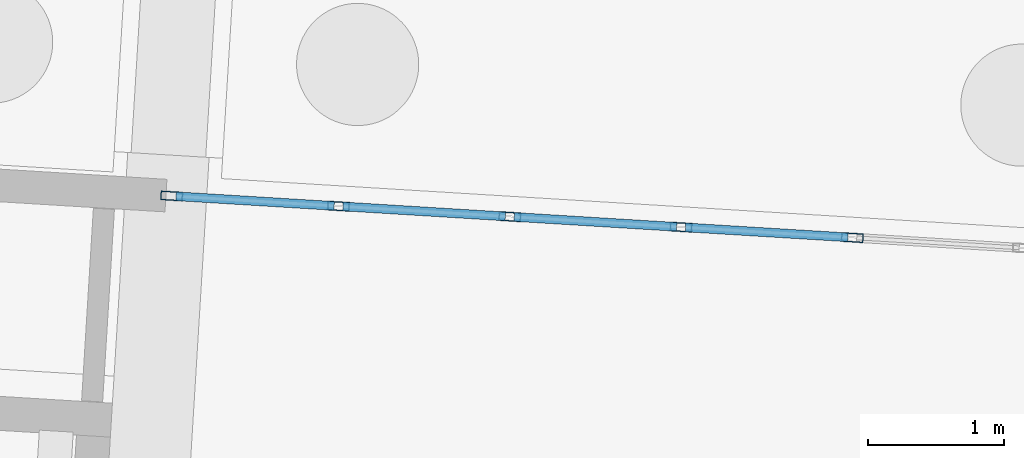
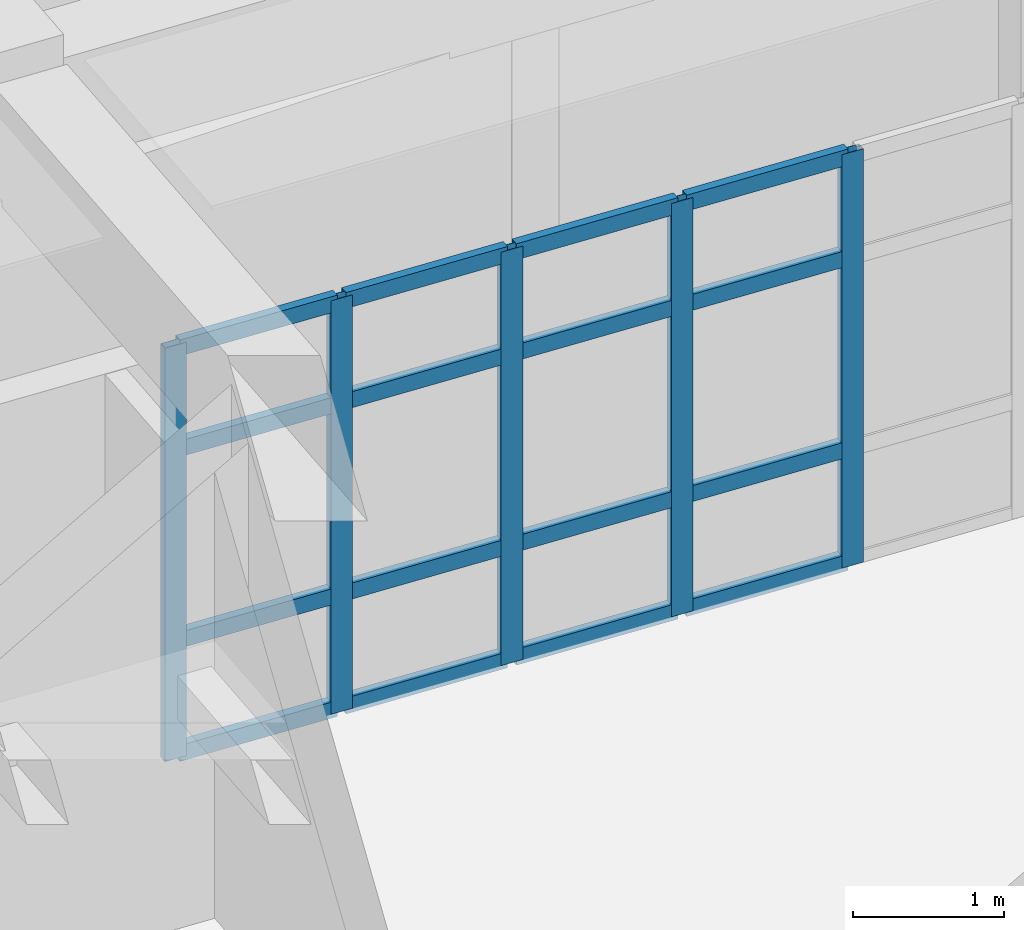
# One storey, part 51 of 154: 21 members, 1 element without a shape of its own.
"""IFC4 building model written with IfcOpenShell, lengths in metres."""

from ifc_helpers import new_model, si_unit, direction, frame, origin, origin_2d, place, context, subcontext, project, spatial, hollow_rectangle, extrude, material, material_profile, profile_set, type_object, element, aggregate, save


model = new_model("IFC4")

# Units and contexts
model_context = context("Model", 3, precision=1e-05, world=origin(), true_north=direction((0.0, 1.0)))
body_context = subcontext(model_context, "Body", "Model", "MODEL_VIEW")
ifc_project = project(units=[si_unit("LENGTHUNIT", "METRE"), si_unit("AREAUNIT", "SQUARE_METRE"), si_unit("VOLUMEUNIT", "CUBIC_METRE"), si_unit("PLANEANGLEUNIT", "RADIAN"), si_unit("MASSUNIT", "GRAM", prefix="KILO")], contexts=[model_context])

# Site, building, storey
site_placement = place(None, origin())
site = spatial("IfcSite", under=ifc_project, at=site_placement, CompositionType="ELEMENT")
building_placement = place(site_placement, origin())
building = spatial("IfcBuilding", under=site, at=building_placement, Name="Kestramere Prow Commons", CompositionType="ELEMENT")
storey_placement = place(building_placement, origin())
storey = spatial("IfcBuildingStorey", under=building, at=storey_placement, Name="L00", CompositionType="ELEMENT", Elevation=0.0)

# Curtain wall, members
ifc_material_1 = material(Name="Anodised Aluminium and Low-E Glass", Category="aluminium")
curtain_wall_type = type_object("IfcCurtainWallType", Name="CW-07 Glazed Curtain Wall 7580x3350", PredefinedType="USERDEFINED", material=ifc_material_1)
curtain_wall_placement = place(storey_placement, origin())
curtain_wall = element("IfcCurtainWall", 1, at=curtain_wall_placement, inside=storey, type_object=curtain_wall_type, Name="Block C L00 North Courtyard Storefront 4", ObjectType="GLAZED CURTAIN WALL", PredefinedType="USERDEFINED")
ifc_material_2 = material(Name="Anodised Aluminium 6063-T6", Category="aluminium")
ifc_material_profile_1 = material_profile(ifc_material_2, hollow_rectangle(XDim=0.06494140625, YDim=0.159912109375, WallThickness=0.00390625, at=origin_2d()), Name="ALU-MUL 65x160")
ifc_profile_set_1 = profile_set([ifc_material_profile_1], Name="Anodised Aluminium 6063-T6")
member_type_1 = type_object("IfcMemberType", Name="CW-MUL-65x160", PredefinedType="MULLION", material=ifc_profile_set_1)
member_1_placement = place(storey_placement, frame((83.349853515625, 62.2734375, 0.0), z_axis=(0.0, 0.0, 1.0), x_axis=(0.061048554987, 0.998134797477, 0.0)))
member_1 = element("IfcMember", 2, at=member_1_placement, type_object=member_type_1, Name="CW-07 mullion 1", PredefinedType="MULLION", context=body_context, shape_type="SweptSolid", body=[
    extrude(hollow_rectangle(XDim=0.06494140625, YDim=0.159912109375, WallThickness=0.00390625, at=origin_2d()), origin(), (0.0, 0.0, 1.0), 3.35009765625),
])
member_2_placement = place(storey_placement, frame((84.578369140625, 62.1982421875, 0.0), z_axis=(0.0, 0.0, 1.0), x_axis=(0.061048554987, 0.998134797477, 0.0)))
member_2 = element("IfcMember", 3, at=member_2_placement, type_object=member_type_1, Name="CW-07 mullion 2", PredefinedType="MULLION", context=body_context, shape_type="SweptSolid", body=[
    extrude(hollow_rectangle(XDim=0.06494140625, YDim=0.159912109375, WallThickness=0.00390625, at=origin_2d()), origin(), (0.0, 0.0, 1.0), 3.35009765625),
])
member_3_placement = place(storey_placement, frame((85.83935546875, 62.12109375, 0.0), z_axis=(0.0, 0.0, 1.0), x_axis=(0.061048554987, 0.998134797477, 0.0)))
member_3 = element("IfcMember", 4, at=member_3_placement, type_object=member_type_1, Name="CW-07 mullion 3", PredefinedType="MULLION", context=body_context, shape_type="SweptSolid", body=[
    extrude(hollow_rectangle(XDim=0.06494140625, YDim=0.159912109375, WallThickness=0.00390625, at=origin_2d()), origin(), (0.0, 0.0, 1.0), 3.35009765625),
])
member_4_placement = place(storey_placement, frame((87.100341796875, 62.0439453125, 0.0), z_axis=(0.0, 0.0, 1.0), x_axis=(0.061048554987, 0.998134797477, 0.0)))
member_4 = element("IfcMember", 5, at=member_4_placement, type_object=member_type_1, Name="CW-07 mullion 4", PredefinedType="MULLION", context=body_context, shape_type="SweptSolid", body=[
    extrude(hollow_rectangle(XDim=0.06494140625, YDim=0.159912109375, WallThickness=0.00390625, at=origin_2d()), origin(), (0.0, 0.0, 1.0), 3.35009765625),
])
member_5_placement = place(storey_placement, frame((88.361328125, 61.966796875, 0.0), z_axis=(0.0, 0.0, 1.0), x_axis=(0.061048554987, 0.998134797477, 0.0)))
member_5 = element("IfcMember", 6, at=member_5_placement, type_object=member_type_1, Name="CW-07 mullion 5", PredefinedType="MULLION", context=body_context, shape_type="SweptSolid", body=[
    extrude(hollow_rectangle(XDim=0.06494140625, YDim=0.159912109375, WallThickness=0.00390625, at=origin_2d()), origin(), (0.0, 0.0, 1.0), 3.35009765625),
])
ifc_material_profile_2 = material_profile(ifc_material_2, hollow_rectangle(XDim=0.06494140625, YDim=0.1298828125, WallThickness=0.00390625, at=origin_2d()), Name="ALU-TRN 65x130")
ifc_profile_set_2 = profile_set([ifc_material_profile_2], Name="Anodised Aluminium 6063-T6")
member_type_2 = type_object("IfcMemberType", Name="CW-TRN-65x130", PredefinedType="USERDEFINED", material=ifc_profile_set_2)
member_6_placement = place(storey_placement, frame((83.38232421875, 62.271484375, 0.032470703125), z_axis=(0.99812920862, -0.061139863419, 0.0), x_axis=(0.061139863419, 0.99812920862, 0.0)))
member_6 = element("IfcMember", 7, at=member_6_placement, type_object=member_type_2, Name="CW-07 transom 1.1", ObjectType="TRANSOM", PredefinedType="USERDEFINED", context=body_context, shape_type="SweptSolid", body=[
    extrude(hollow_rectangle(XDim=0.06494140625, YDim=0.1298828125, WallThickness=0.00390625, at=origin_2d()), origin(), (0.0, 0.0, 1.0), 1.166015625),
])
member_7_placement = place(storey_placement, frame((83.38232421875, 62.271484375, 0.949951171875), z_axis=(0.99812920862, -0.061139863419, 0.0), x_axis=(0.061139863419, 0.99812920862, 0.0)))
member_7 = element("IfcMember", 8, at=member_7_placement, type_object=member_type_2, Name="CW-07 transom 1.2", ObjectType="TRANSOM", PredefinedType="USERDEFINED", context=body_context, shape_type="SweptSolid", body=[
    extrude(hollow_rectangle(XDim=0.06494140625, YDim=0.1298828125, WallThickness=0.00390625, at=origin_2d()), origin(), (0.0, 0.0, 1.0), 1.166015625),
])
member_8_placement = place(storey_placement, frame((83.38232421875, 62.271484375, 2.5), z_axis=(0.99812920862, -0.061139863419, 0.0), x_axis=(0.061139863419, 0.99812920862, 0.0)))
member_8 = element("IfcMember", 9, at=member_8_placement, type_object=member_type_2, Name="CW-07 transom 1.3", ObjectType="TRANSOM", PredefinedType="USERDEFINED", context=body_context, shape_type="SweptSolid", body=[
    extrude(hollow_rectangle(XDim=0.06494140625, YDim=0.1298828125, WallThickness=0.00390625, at=origin_2d()), origin(), (0.0, 0.0, 1.0), 1.166015625),
])
member_9_placement = place(storey_placement, frame((83.38232421875, 62.271484375, 3.3173828125), z_axis=(0.99812920862, -0.061139863419, 0.0), x_axis=(0.061139863419, 0.99812920862, 0.0)))
member_9 = element("IfcMember", 10, at=member_9_placement, type_object=member_type_2, Name="CW-07 transom 1.4", ObjectType="TRANSOM", PredefinedType="USERDEFINED", context=body_context, shape_type="SweptSolid", body=[
    extrude(hollow_rectangle(XDim=0.06494140625, YDim=0.1298828125, WallThickness=0.00390625, at=origin_2d()), origin(), (0.0, 0.0, 1.0), 1.166015625),
])
member_10_placement = place(storey_placement, frame((84.61083984375, 62.1962890625, 0.032470703125), z_axis=(0.998130272627, -0.061122490669, 0.0), x_axis=(0.061122490669, 0.998130272627, 0.0)))
member_10 = element("IfcMember", 11, at=member_10_placement, type_object=member_type_2, Name="CW-07 transom 2.1", ObjectType="TRANSOM", PredefinedType="USERDEFINED", context=body_context, shape_type="SweptSolid", body=[
    extrude(hollow_rectangle(XDim=0.06494140625, YDim=0.1298828125, WallThickness=0.00390625, at=origin_2d()), origin(), (0.0, 0.0, 1.0), 1.1982421875),
])
member_11_placement = place(storey_placement, frame((84.61083984375, 62.1962890625, 0.949951171875), z_axis=(0.998130272627, -0.061122490669, 0.0), x_axis=(0.061122490669, 0.998130272627, 0.0)))
member_11 = element("IfcMember", 12, at=member_11_placement, type_object=member_type_2, Name="CW-07 transom 2.2", ObjectType="TRANSOM", PredefinedType="USERDEFINED", context=body_context, shape_type="SweptSolid", body=[
    extrude(hollow_rectangle(XDim=0.06494140625, YDim=0.1298828125, WallThickness=0.00390625, at=origin_2d()), origin(), (0.0, 0.0, 1.0), 1.1982421875),
])
member_12_placement = place(storey_placement, frame((84.61083984375, 62.1962890625, 2.5), z_axis=(0.998130272627, -0.061122490669, 0.0), x_axis=(0.061122490669, 0.998130272627, 0.0)))
member_12 = element("IfcMember", 13, at=member_12_placement, type_object=member_type_2, Name="CW-07 transom 2.3", ObjectType="TRANSOM", PredefinedType="USERDEFINED", context=body_context, shape_type="SweptSolid", body=[
    extrude(hollow_rectangle(XDim=0.06494140625, YDim=0.1298828125, WallThickness=0.00390625, at=origin_2d()), origin(), (0.0, 0.0, 1.0), 1.1982421875),
])
member_13_placement = place(storey_placement, frame((84.61083984375, 62.1962890625, 3.3173828125), z_axis=(0.998130272627, -0.061122490669, 0.0), x_axis=(0.061122490669, 0.998130272627, 0.0)))
member_13 = element("IfcMember", 14, at=member_13_placement, type_object=member_type_2, Name="CW-07 transom 2.4", ObjectType="TRANSOM", PredefinedType="USERDEFINED", context=body_context, shape_type="SweptSolid", body=[
    extrude(hollow_rectangle(XDim=0.06494140625, YDim=0.1298828125, WallThickness=0.00390625, at=origin_2d()), origin(), (0.0, 0.0, 1.0), 1.1982421875),
])
member_14_placement = place(storey_placement, frame((85.871826171875, 62.119140625, 0.032470703125), z_axis=(0.998130272627, -0.061122490669, 0.0), x_axis=(0.061122490669, 0.998130272627, 0.0)))
member_14 = element("IfcMember", 15, at=member_14_placement, type_object=member_type_2, Name="CW-07 transom 3.1", ObjectType="TRANSOM", PredefinedType="USERDEFINED", context=body_context, shape_type="SweptSolid", body=[
    extrude(hollow_rectangle(XDim=0.06494140625, YDim=0.1298828125, WallThickness=0.00390625, at=origin_2d()), origin(), (0.0, 0.0, 1.0), 1.1982421875),
])
member_15_placement = place(storey_placement, frame((85.871826171875, 62.119140625, 0.949951171875), z_axis=(0.998130272627, -0.061122490669, 0.0), x_axis=(0.061122490669, 0.998130272627, 0.0)))
member_15 = element("IfcMember", 16, at=member_15_placement, type_object=member_type_2, Name="CW-07 transom 3.2", ObjectType="TRANSOM", PredefinedType="USERDEFINED", context=body_context, shape_type="SweptSolid", body=[
    extrude(hollow_rectangle(XDim=0.06494140625, YDim=0.1298828125, WallThickness=0.00390625, at=origin_2d()), origin(), (0.0, 0.0, 1.0), 1.1982421875),
])
member_16_placement = place(storey_placement, frame((85.871826171875, 62.119140625, 2.5), z_axis=(0.998130272627, -0.061122490669, 0.0), x_axis=(0.061122490669, 0.998130272627, 0.0)))
member_16 = element("IfcMember", 17, at=member_16_placement, type_object=member_type_2, Name="CW-07 transom 3.3", ObjectType="TRANSOM", PredefinedType="USERDEFINED", context=body_context, shape_type="SweptSolid", body=[
    extrude(hollow_rectangle(XDim=0.06494140625, YDim=0.1298828125, WallThickness=0.00390625, at=origin_2d()), origin(), (0.0, 0.0, 1.0), 1.1982421875),
])
member_17_placement = place(storey_placement, frame((85.871826171875, 62.119140625, 3.3173828125), z_axis=(0.998130272627, -0.061122490669, 0.0), x_axis=(0.061122490669, 0.998130272627, 0.0)))
member_17 = element("IfcMember", 18, at=member_17_placement, type_object=member_type_2, Name="CW-07 transom 3.4", ObjectType="TRANSOM", PredefinedType="USERDEFINED", context=body_context, shape_type="SweptSolid", body=[
    extrude(hollow_rectangle(XDim=0.06494140625, YDim=0.1298828125, WallThickness=0.00390625, at=origin_2d()), origin(), (0.0, 0.0, 1.0), 1.1982421875),
])
member_18_placement = place(storey_placement, frame((87.1328125, 62.0419921875, 0.032470703125), z_axis=(0.998142682054, -0.060919506416, 0.0), x_axis=(0.060919506416, 0.998142682054, 0.0)))
member_18 = element("IfcMember", 19, at=member_18_placement, type_object=member_type_2, Name="CW-07 transom 4.1", ObjectType="TRANSOM", PredefinedType="USERDEFINED", context=body_context, shape_type="SweptSolid", body=[
    extrude(hollow_rectangle(XDim=0.06494140625, YDim=0.1298828125, WallThickness=0.00390625, at=origin_2d()), origin(), (0.0, 0.0, 1.0), 1.1982421875),
])
member_19_placement = place(storey_placement, frame((87.1328125, 62.0419921875, 0.949951171875), z_axis=(0.998142682054, -0.060919506416, 0.0), x_axis=(0.060919506416, 0.998142682054, 0.0)))
member_19 = element("IfcMember", 20, at=member_19_placement, type_object=member_type_2, Name="CW-07 transom 4.2", ObjectType="TRANSOM", PredefinedType="USERDEFINED", context=body_context, shape_type="SweptSolid", body=[
    extrude(hollow_rectangle(XDim=0.06494140625, YDim=0.1298828125, WallThickness=0.00390625, at=origin_2d()), origin(), (0.0, 0.0, 1.0), 1.1982421875),
])
member_20_placement = place(storey_placement, frame((87.1328125, 62.0419921875, 2.5), z_axis=(0.998142682054, -0.060919506416, 0.0), x_axis=(0.060919506416, 0.998142682054, 0.0)))
member_20 = element("IfcMember", 21, at=member_20_placement, type_object=member_type_2, Name="CW-07 transom 4.3", ObjectType="TRANSOM", PredefinedType="USERDEFINED", context=body_context, shape_type="SweptSolid", body=[
    extrude(hollow_rectangle(XDim=0.06494140625, YDim=0.1298828125, WallThickness=0.00390625, at=origin_2d()), origin(), (0.0, 0.0, 1.0), 1.1982421875),
])
member_21_placement = place(storey_placement, frame((87.1328125, 62.0419921875, 3.3173828125), z_axis=(0.998142682054, -0.060919506416, 0.0), x_axis=(0.060919506416, 0.998142682054, 0.0)))
member_21 = element("IfcMember", 22, at=member_21_placement, type_object=member_type_2, Name="CW-07 transom 4.4", ObjectType="TRANSOM", PredefinedType="USERDEFINED", context=body_context, shape_type="SweptSolid", body=[
    extrude(hollow_rectangle(XDim=0.06494140625, YDim=0.1298828125, WallThickness=0.00390625, at=origin_2d()), origin(), (0.0, 0.0, 1.0), 1.1982421875),
])
aggregate(curtain_wall, [member_1, member_2, member_3, member_4, member_5, member_6, member_7, member_8, member_9, member_10, member_11, member_12, member_13, member_14, member_15, member_16, member_17, member_18, member_19, member_20, member_21])

save(model, "model.ifc")
